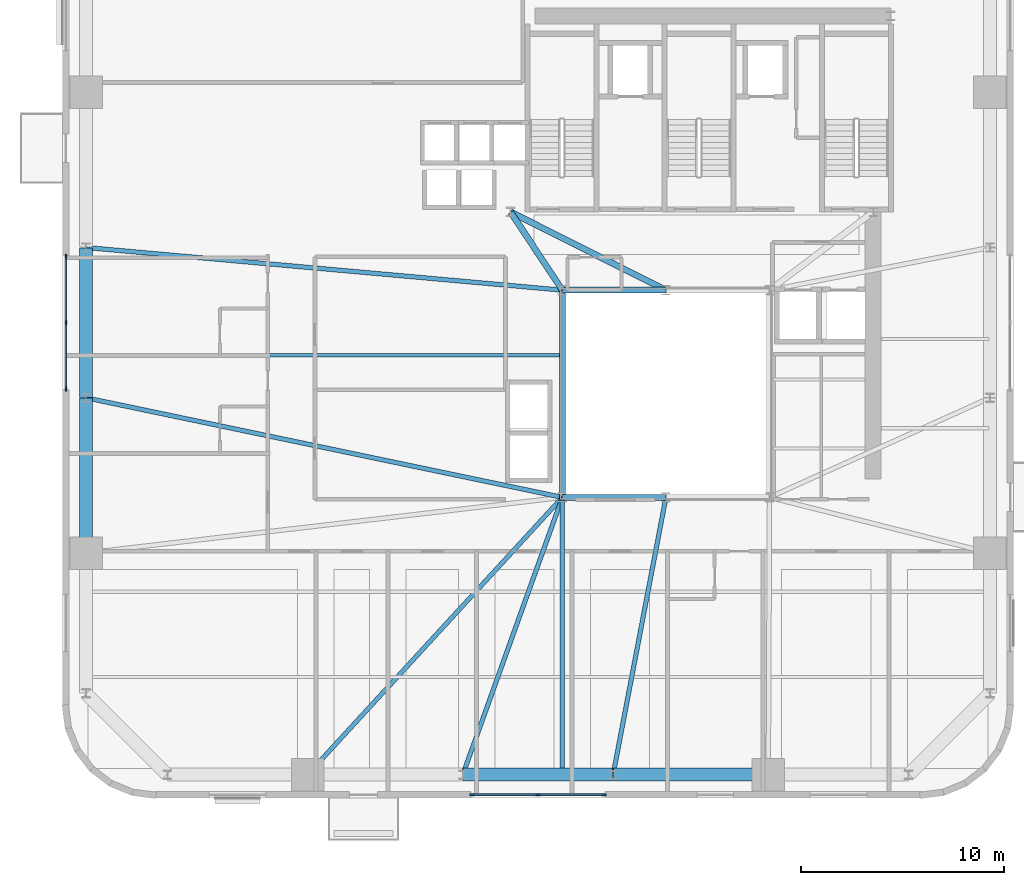
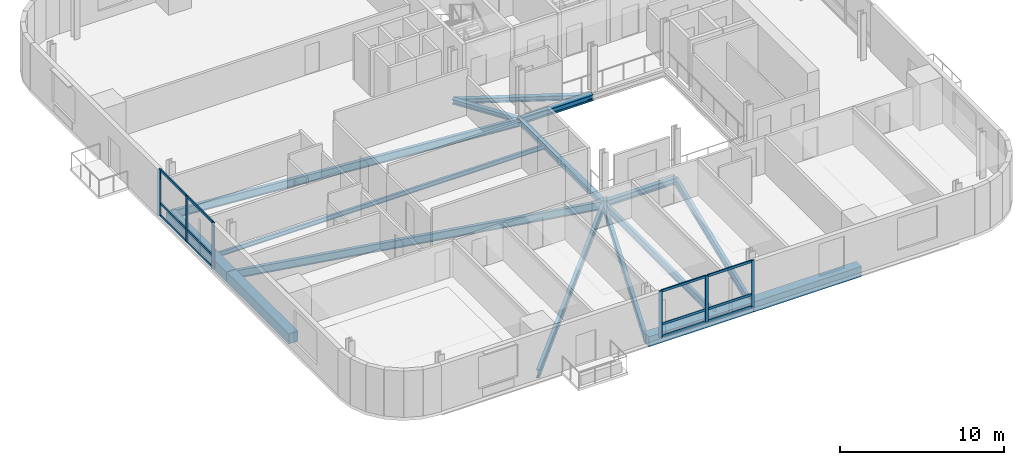
# One storey, part 2 of 11: 18 members, 16 beams, 2 elements without a shape of their own.
"""IFC4 building model written with IfcOpenShell, lengths in metres."""

from ifc_helpers import new_model, si_unit, direction, frame, origin, origin_2d, place, context, subcontext, project, spatial, rectangle, i_section, extrude, source, transform, mapped, material, material_profile, profile_set, type_object, element, aggregate, save


model = new_model("IFC4")

# Units and contexts
model_context = context("Model", 3, precision=1e-05, world=origin(), true_north=direction((0.0, 1.0)))
body_context = subcontext(model_context, "Body", "Model", "MODEL_VIEW")
ifc_project = project(units=[si_unit("LENGTHUNIT", "METRE"), si_unit("AREAUNIT", "SQUARE_METRE"), si_unit("VOLUMEUNIT", "CUBIC_METRE"), si_unit("PLANEANGLEUNIT", "RADIAN"), si_unit("MASSUNIT", "GRAM", prefix="KILO")], contexts=[model_context])

# Site, building, storey
site_placement = place(None, origin())
site = spatial("IfcSite", under=ifc_project, at=site_placement, CompositionType="ELEMENT")
building_placement = place(site_placement, origin())
building = spatial("IfcBuilding", under=site, at=building_placement, Name="Vardaveli Station Tower", CompositionType="ELEMENT")
storey_placement = place(building_placement, frame((0.0, 0.0, 155.699951171875)))
storey = spatial("IfcBuildingStorey", under=building, at=storey_placement, Name="L40", CompositionType="ELEMENT", Elevation=155.699951171875)

# Beams
ifc_material_1 = material(Name="Structural steel S355J2", Category="steel")
ifc_material_profile_1 = material_profile(ifc_material_1, i_section(OverallWidth=0.300048828125, OverallDepth=0.449951171875, WebThickness=0.013916015625, FlangeThickness=0.02587890625, FilletRadius=0.027099609375, at=origin_2d()), Name="HEB 450")
ifc_profile_set_1 = profile_set([ifc_material_profile_1], Name="Structural steel S355J2")
beam_type_1 = type_object("IfcBeamType", Name="BM-HEB450", PredefinedType="BEAM", material=ifc_profile_set_1)
shared_shape_1 = source(origin(), body_context, "Body", "SweptSolid", [
    extrude(i_section(OverallWidth=0.300048828125, OverallDepth=0.449951171875, WebThickness=0.013916015625, FlangeThickness=0.02587890625, FilletRadius=0.027099609375, at=origin_2d()), origin(), (0.0, 0.0, 1.0), 5.06005859375),
])
for number, where, z_axis, x_axis, name in (
    (1, (31.219970703125, 16.60009765625, -0.46484375), (1.0, 0.0, 0.0), (0.0, 1.0, 0.0), "ABM-L40-01"),
    (2, (36.280029296875, 26.800048828125, -0.46484375), (-1.0, 0.0, 0.0), (0.0, -1.0, 0.0), "ABM-L40-05"),
):
    element("IfcBeam", number, at=place(storey_placement, frame(where, z_axis=z_axis, x_axis=x_axis)), inside=storey, type_object=beam_type_1, Name=name, PredefinedType="BEAM", context=body_context, shape_type="MappedRepresentation", body=[
        mapped(shared_shape_1, transform((0.0, 0.0, 0.0), scale=1.0)),
    ])
shared_shape_2 = source(origin(), body_context, "Body", "SweptSolid", [
    extrude(i_section(OverallWidth=0.300048828125, OverallDepth=0.449951171875, WebThickness=0.013916015625, FlangeThickness=0.02587890625, FilletRadius=0.027099609375, at=origin_2d()), origin(), (0.0, 0.0, 1.0), 10.159912109375),
])
beam_1_placement = place(storey_placement, frame((31.199951171875, 26.780029296875, -0.46484375), z_axis=(0.0, -1.0, 0.0), x_axis=(1.0, 0.0, 0.0)))
element("IfcBeam", 3, at=beam_1_placement, inside=storey, type_object=beam_type_1, Name="ABM-L40-06", PredefinedType="BEAM", context=body_context, shape_type="MappedRepresentation", body=[
    mapped(shared_shape_2, transform((0.0, 0.0, 0.0), scale=1.0)),
])
ifc_material_profile_2 = material_profile(ifc_material_1, i_section(OverallWidth=0.300048828125, OverallDepth=0.360107421875, WebThickness=0.012451171875, FlangeThickness=0.0224609375, FilletRadius=0.027099609375, at=origin_2d()), Name="HEB 360")
ifc_profile_set_2 = profile_set([ifc_material_profile_2], Name="Structural steel S355J2")
beam_type_2 = type_object("IfcBeamType", Name="BM-HEB360", PredefinedType="BEAM", material=ifc_profile_set_2)
shared_shape_3 = source(origin(), body_context, "Body", "SweptSolid", [
    extrude(i_section(OverallWidth=0.300048828125, OverallDepth=0.360107421875, WebThickness=0.012451171875, FlangeThickness=0.0224609375, FilletRadius=0.027099609375, at=origin_2d()), origin(), (0.0, 0.0, 1.0), 4.577880859375),
])
beam_2_placement = place(storey_placement, frame((31.18896484375, 26.816650390625, -0.419921875), z_axis=(-0.55218702139, 0.833720272879, 0.0), x_axis=(-0.833720272879, -0.55218702139, 0.0)))
element("IfcBeam", 4, at=beam_2_placement, inside=storey, type_object=beam_type_2, Name="CBM-L40-01", PredefinedType="BEAM", context=body_context, shape_type="MappedRepresentation", body=[
    mapped(shared_shape_3, transform((0.0, 0.0, 0.0), scale=1.0)),
])
shared_shape_4 = source(origin(), body_context, "Body", "SweptSolid", [
    extrude(i_section(OverallWidth=0.300048828125, OverallDepth=0.360107421875, WebThickness=0.012451171875, FlangeThickness=0.0224609375, FilletRadius=0.027099609375, at=origin_2d()), origin(), (0.0, 0.0, 1.0), 8.524169921875),
])
beam_3_placement = place(storey_placement, frame((28.66796875, 30.64111328125, -0.419921875), z_axis=(0.893255584708, -0.449549174605, 0.0), x_axis=(0.449549174605, 0.893255584708, 0.0)))
element("IfcBeam", 5, at=beam_3_placement, inside=storey, type_object=beam_type_2, Name="CBM-L40-03", PredefinedType="BEAM", context=body_context, shape_type="MappedRepresentation", body=[
    mapped(shared_shape_4, transform((0.0, 0.0, 0.0), scale=1.0)),
])
ifc_material_2 = material(Name="Precast concrete C45/55", Category="concrete")
ifc_material_profile_3 = material_profile(ifc_material_2, rectangle(XDim=0.64990234375, YDim=0.75, at=origin_2d()), Name="LPB 650x750")
ifc_profile_set_3 = profile_set([ifc_material_profile_3], Name="Precast concrete C45/55")
beam_type_3 = type_object("IfcBeamType", Name="BM-LPB-750", PredefinedType="BEAM", material=ifc_profile_set_3)
shared_shape_5 = source(origin(), body_context, "Body", "SweptSolid", [
    extrude(rectangle(XDim=0.64990234375, YDim=0.75, at=origin_2d()), origin(), (0.0, 0.0, 1.0), 7.60009765625),
])
for number, where, z_axis, x_axis, name in (
    (6, (33.719970703125, 2.949951171875, -0.614990234375), (1.0, 0.0, 0.0), (0.0, 1.0, 0.0), "RBM-L40-03"),
    (7, (7.75, 21.47998046875, -0.614990234375), (0.0, -1.0, 0.0), (1.0, 0.0, 0.0), "RBM-L40-21"),
):
    element("IfcBeam", number, at=place(storey_placement, frame(where, z_axis=z_axis, x_axis=x_axis)), inside=storey, type_object=beam_type_3, Name=name, PredefinedType="BEAM", context=body_context, shape_type="MappedRepresentation", body=[
        mapped(shared_shape_5, transform((0.0, 0.0, 0.0), scale=1.0)),
    ])
shared_shape_6 = source(origin(), body_context, "Body", "SweptSolid", [
    extrude(rectangle(XDim=0.64990234375, YDim=0.75, at=origin_2d()), origin(), (0.0, 0.0, 1.0), 7.35986328125),
])
for number, where, z_axis, x_axis, name in (
    (8, (26.320068359375, 2.949951171875, -0.614990234375), (1.0, 0.0, 0.0), (0.0, 1.0, 0.0), "RBM-L40-02"),
    (9, (7.75, 28.8798828125, -0.614990234375), (0.0, -1.0, 0.0), (1.0, 0.0, 0.0), "RBM-L40-20"),
):
    element("IfcBeam", number, at=place(storey_placement, frame(where, z_axis=z_axis, x_axis=x_axis)), inside=storey, type_object=beam_type_3, Name=name, PredefinedType="BEAM", context=body_context, shape_type="MappedRepresentation", body=[
        mapped(shared_shape_6, transform((0.0, 0.0, 0.0), scale=1.0)),
    ])
ifc_material_profile_4 = material_profile(ifc_material_1, i_section(OverallWidth=0.2099609375, OverallDepth=0.550048828125, WebThickness=0.010986328125, FlangeThickness=0.01708984375, FilletRadius=0.02392578125, at=origin_2d()), Name="IPE 550")
ifc_profile_set_4 = profile_set([ifc_material_profile_4], Name="Structural steel S355J2")
beam_type_4 = type_object("IfcBeamType", Name="BM-IPE550", PredefinedType="BEAM", material=ifc_profile_set_4)
shared_shape_7 = source(origin(), body_context, "Body", "SweptSolid", [
    extrude(i_section(OverallWidth=0.2099609375, OverallDepth=0.550048828125, WebThickness=0.010986328125, FlangeThickness=0.01708984375, FilletRadius=0.02392578125, at=origin_2d()), origin(), (0.0, 0.0, 1.0), 13.469970703125),
])
beam_4_placement = place(storey_placement, frame((31.199951171875, 2.989990234375, -0.514892578125), z_axis=(0.0, 1.0, 0.0), x_axis=(-1.0, 0.0, 0.0)))
element("IfcBeam", 10, at=beam_4_placement, inside=storey, type_object=beam_type_4, Name="NSM-L40-S1", PredefinedType="BEAM", context=body_context, shape_type="MappedRepresentation", body=[
    mapped(shared_shape_7, transform((0.0, 0.0, 0.0), scale=1.0)),
])
ifc_material_profile_5 = material_profile(ifc_material_1, i_section(OverallWidth=0.159912109375, OverallDepth=0.330078125, WebThickness=0.007568359375, FlangeThickness=0.011474609375, FilletRadius=0.01806640625, at=origin_2d()), Name="IPE 330")
ifc_profile_set_5 = profile_set([ifc_material_profile_5], Name="Structural steel S355J2")
beam_type_5 = type_object("IfcBeamType", Name="BM-IPE330", PredefinedType="JOIST", material=ifc_profile_set_5)
shared_shape_8 = source(origin(), body_context, "Body", "SweptSolid", [
    extrude(i_section(OverallWidth=0.159912109375, OverallDepth=0.330078125, WebThickness=0.007568359375, FlangeThickness=0.011474609375, FilletRadius=0.01806640625, at=origin_2d()), origin(), (0.0, 0.0, 1.0), 23.2978515625),
])
beam_5_placement = place(storey_placement, frame((7.7900390625, 23.60009765625, -0.405029296875), z_axis=(1.0, 0.0, 0.0), x_axis=(0.0, 1.0, 0.0)))
element("IfcBeam", 11, at=beam_5_placement, inside=storey, type_object=beam_type_5, Name="SJ-L40-W06", PredefinedType="JOIST", context=body_context, shape_type="MappedRepresentation", body=[
    mapped(shared_shape_8, transform((0.0, 0.0, 0.0), scale=1.0)),
])
ifc_material_profile_6 = material_profile(ifc_material_1, i_section(OverallWidth=0.219970703125, OverallDepth=0.60009765625, WebThickness=0.011962890625, FlangeThickness=0.01904296875, FilletRadius=0.02392578125, at=origin_2d()), Name="IPE 600")
ifc_profile_set_6 = profile_set([ifc_material_profile_6], Name="Structural steel S355J2")
beam_type_6 = type_object("IfcBeamType", Name="BM-IPE600", PredefinedType="BEAM", material=ifc_profile_set_6)
shared_shape_9 = source(origin(), body_context, "Body", "SweptSolid", [
    extrude(i_section(OverallWidth=0.219970703125, OverallDepth=0.60009765625, WebThickness=0.011962890625, FlangeThickness=0.01904296875, FilletRadius=0.02392578125, at=origin_2d()), origin(), (0.0, 0.0, 1.0), 18.49560546875),
])
beam_6_placement = place(storey_placement, frame((18.673583984375, 2.96484375, -0.5400390625), z_axis=(0.676535341891, 0.736410165039, 0.0), x_axis=(-0.736410165039, 0.676535341891, 0.0)))
element("IfcBeam", 12, at=beam_6_placement, inside=storey, type_object=beam_type_6, Name="GBM-L40-01", PredefinedType="BEAM", context=body_context, shape_type="MappedRepresentation", body=[
    mapped(shared_shape_9, transform((0.0, 0.0, 0.0), scale=1.0)),
])
shared_shape_10 = source(origin(), body_context, "Body", "SweptSolid", [
    extrude(i_section(OverallWidth=0.219970703125, OverallDepth=0.60009765625, WebThickness=0.011962890625, FlangeThickness=0.01904296875, FilletRadius=0.02392578125, at=origin_2d()), origin(), (0.0, 0.0, 1.0), 14.462890625),
])
beam_7_placement = place(storey_placement, frame((26.306640625, 2.96875, -0.5400390625), z_axis=(0.337880090533, 0.941189165057, 0.0), x_axis=(-0.941189165057, 0.337880090533, 0.0)))
element("IfcBeam", 13, at=beam_7_placement, inside=storey, type_object=beam_type_6, Name="GBM-L40-02", PredefinedType="BEAM", context=body_context, shape_type="MappedRepresentation", body=[
    mapped(shared_shape_10, transform((0.0, 0.0, 0.0), scale=1.0)),
])
shared_shape_11 = source(origin(), body_context, "Body", "SweptSolid", [
    extrude(i_section(OverallWidth=0.219970703125, OverallDepth=0.60009765625, WebThickness=0.011962890625, FlangeThickness=0.01904296875, FilletRadius=0.02392578125, at=origin_2d()), origin(), (0.0, 0.0, 1.0), 13.855224609375),
])
beam_8_placement = place(storey_placement, frame((33.703857421875, 2.9697265625, -0.5400390625), z_axis=(0.187097533125, 0.982341342456, 0.0), x_axis=(-0.982341342456, 0.187097533125, 0.0)))
element("IfcBeam", 14, at=beam_8_placement, inside=storey, type_object=beam_type_6, Name="GBM-L40-03", PredefinedType="BEAM", context=body_context, shape_type="MappedRepresentation", body=[
    mapped(shared_shape_11, transform((0.0, 0.0, 0.0), scale=1.0)),
])
shared_shape_12 = source(origin(), body_context, "Body", "SweptSolid", [
    extrude(i_section(OverallWidth=0.219970703125, OverallDepth=0.60009765625, WebThickness=0.011962890625, FlangeThickness=0.01904296875, FilletRadius=0.02392578125, at=origin_2d()), origin(), (0.0, 0.0, 1.0), 23.50390625),
])
beam_9_placement = place(storey_placement, frame((7.77001953125, 28.898193359375, -0.5400390625), z_axis=(0.996014142198, -0.08919545135, 0.0), x_axis=(0.08919545135, 0.996014142198, 0.0)))
element("IfcBeam", 15, at=beam_9_placement, inside=storey, type_object=beam_type_6, Name="GBM-L40-08", PredefinedType="BEAM", context=body_context, shape_type="MappedRepresentation", body=[
    mapped(shared_shape_12, transform((0.0, 0.0, 0.0), scale=1.0)),
])
shared_shape_13 = source(origin(), body_context, "Body", "SweptSolid", [
    extrude(i_section(OverallWidth=0.219970703125, OverallDepth=0.60009765625, WebThickness=0.011962890625, FlangeThickness=0.01904296875, FilletRadius=0.02392578125, at=origin_2d()), origin(), (0.0, 0.0, 1.0), 23.91650390625),
])
beam_10_placement = place(storey_placement, frame((7.76953125, 21.495849609375, -0.5400390625), z_axis=(0.978858547354, -0.204538368703, 0.0), x_axis=(0.204538368703, 0.978858547354, 0.0)))
element("IfcBeam", 16, at=beam_10_placement, inside=storey, type_object=beam_type_6, Name="GBM-L40-09", PredefinedType="BEAM", context=body_context, shape_type="MappedRepresentation", body=[
    mapped(shared_shape_13, transform((0.0, 0.0, 0.0), scale=1.0)),
])

# Curtain wall, members
ifc_material_3 = material(Name="Travertine stone and solar-control glass", Category="masonry")
curtain_wall_type = type_object("IfcCurtainWallType", Name="CW-SYS-2", PredefinedType="NOTDEFINED", material=ifc_material_3)
curtain_wall_1_placement = place(storey_placement, origin())
curtain_wall_1 = element("IfcCurtainWall", 17, at=curtain_wall_1_placement, inside=storey, type_object=curtain_wall_type, Name="CW-L40-S", PredefinedType="NOTDEFINED")
ifc_material_4 = material(Name="Anodised aluminium alloy 6063-T6", Category="aluminium")
ifc_material_profile_7 = material_profile(ifc_material_4, rectangle(XDim=0.0849609375, YDim=0.179931640625, at=origin_2d()), Name="CWT 85x180")
ifc_profile_set_7 = profile_set([ifc_material_profile_7], Name="Anodised aluminium alloy 6063-T6")
member_type_1 = type_object("IfcMemberType", Name="CW-SYS-2-TRAN", PredefinedType="NOTDEFINED", material=ifc_profile_set_7)
shared_shape_14 = source(origin(), body_context, "Body", "SweptSolid", [
    extrude(rectangle(XDim=0.0849609375, YDim=0.179931640625, at=origin_2d()), origin(), (0.0, 0.0, 1.0), 3.172607421875),
])
member_1_placement = place(storey_placement, frame((26.784912109375, 1.9599609375, 0.04248046875), z_axis=(1.0, 0.0, 0.0), x_axis=(0.0, 1.0, 0.0)))
member_1 = element("IfcMember", 18, at=member_1_placement, type_object=member_type_1, Name="CW-2 transom 1.1", ObjectType="TRANSOM", PredefinedType="USERDEFINED", context=body_context, shape_type="MappedRepresentation", body=[
    mapped(shared_shape_14, transform((0.0, 0.0, 0.0), scale=1.0)),
])
member_2_placement = place(storey_placement, frame((26.784912109375, 1.9599609375, 0.949951171875), z_axis=(1.0, 0.0, 0.0), x_axis=(0.0, 1.0, 0.0)))
member_2 = element("IfcMember", 19, at=member_2_placement, type_object=member_type_1, Name="CW-2 transom 1.2", ObjectType="TRANSOM", PredefinedType="USERDEFINED", context=body_context, shape_type="MappedRepresentation", body=[
    mapped(shared_shape_14, transform((0.0, 0.0, 0.0), scale=1.0)),
])
member_3_placement = place(storey_placement, frame((26.784912109375, 1.9599609375, 3.41748046875), z_axis=(1.0, 0.0, 0.0), x_axis=(0.0, 1.0, 0.0)))
member_3 = element("IfcMember", 20, at=member_3_placement, type_object=member_type_1, Name="CW-2 transom 1.3", ObjectType="TRANSOM", PredefinedType="USERDEFINED", context=body_context, shape_type="MappedRepresentation", body=[
    mapped(shared_shape_14, transform((0.0, 0.0, 0.0), scale=1.0)),
])
member_4_placement = place(storey_placement, frame((30.04248046875, 1.9599609375, 0.04248046875), z_axis=(1.0, 0.0, 0.0), x_axis=(0.0, 1.0, 0.0)))
member_4 = element("IfcMember", 21, at=member_4_placement, type_object=member_type_1, Name="CW-2 transom 2.1", ObjectType="TRANSOM", PredefinedType="USERDEFINED", context=body_context, shape_type="MappedRepresentation", body=[
    mapped(shared_shape_14, transform((0.0, 0.0, 0.0), scale=1.0)),
])
member_5_placement = place(storey_placement, frame((30.04248046875, 1.9599609375, 0.949951171875), z_axis=(1.0, 0.0, 0.0), x_axis=(0.0, 1.0, 0.0)))
member_5 = element("IfcMember", 22, at=member_5_placement, type_object=member_type_1, Name="CW-2 transom 2.2", ObjectType="TRANSOM", PredefinedType="USERDEFINED", context=body_context, shape_type="MappedRepresentation", body=[
    mapped(shared_shape_14, transform((0.0, 0.0, 0.0), scale=1.0)),
])
member_6_placement = place(storey_placement, frame((30.04248046875, 1.9599609375, 3.41748046875), z_axis=(1.0, 0.0, 0.0), x_axis=(0.0, 1.0, 0.0)))
member_6 = element("IfcMember", 23, at=member_6_placement, type_object=member_type_1, Name="CW-2 transom 2.3", ObjectType="TRANSOM", PredefinedType="USERDEFINED", context=body_context, shape_type="MappedRepresentation", body=[
    mapped(shared_shape_14, transform((0.0, 0.0, 0.0), scale=1.0)),
])

curtain_wall_2_placement = place(storey_placement, origin())
curtain_wall_2 = element("IfcCurtainWall", 24, at=curtain_wall_2_placement, inside=storey, type_object=curtain_wall_type, Name="CW-L40-W", PredefinedType="NOTDEFINED")
member_7_placement = place(storey_placement, frame((6.760009765625, 28.4150390625, 0.04248046875), z_axis=(0.0, -1.0, 0.0), x_axis=(1.0, 0.0, 0.0)))
member_7 = element("IfcMember", 25, at=member_7_placement, type_object=member_type_1, Name="CW-2 transom 1.1", ObjectType="TRANSOM", PredefinedType="USERDEFINED", context=body_context, shape_type="MappedRepresentation", body=[
    mapped(shared_shape_14, transform((0.0, 0.0, 0.0), scale=1.0)),
])
member_8_placement = place(storey_placement, frame((6.760009765625, 28.4150390625, 0.949951171875), z_axis=(0.0, -1.0, 0.0), x_axis=(1.0, 0.0, 0.0)))
member_8 = element("IfcMember", 26, at=member_8_placement, type_object=member_type_1, Name="CW-2 transom 1.2", ObjectType="TRANSOM", PredefinedType="USERDEFINED", context=body_context, shape_type="MappedRepresentation", body=[
    mapped(shared_shape_14, transform((0.0, 0.0, 0.0), scale=1.0)),
])
member_9_placement = place(storey_placement, frame((6.760009765625, 28.4150390625, 3.41748046875), z_axis=(0.0, -1.0, 0.0), x_axis=(1.0, 0.0, 0.0)))
member_9 = element("IfcMember", 27, at=member_9_placement, type_object=member_type_1, Name="CW-2 transom 1.3", ObjectType="TRANSOM", PredefinedType="USERDEFINED", context=body_context, shape_type="MappedRepresentation", body=[
    mapped(shared_shape_14, transform((0.0, 0.0, 0.0), scale=1.0)),
])
shared_shape_15 = source(origin(), body_context, "Body", "SweptSolid", [
    extrude(rectangle(XDim=0.0849609375, YDim=0.179931640625, at=origin_2d()), origin(), (0.0, 0.0, 1.0), 3.17236328125),
])
member_10_placement = place(storey_placement, frame((6.760009765625, 25.157470703125, 0.04248046875), z_axis=(0.0, -1.0, 0.0), x_axis=(1.0, 0.0, 0.0)))
member_10 = element("IfcMember", 28, at=member_10_placement, type_object=member_type_1, Name="CW-2 transom 2.1", ObjectType="TRANSOM", PredefinedType="USERDEFINED", context=body_context, shape_type="MappedRepresentation", body=[
    mapped(shared_shape_15, transform((0.0, 0.0, 0.0), scale=1.0)),
])
member_11_placement = place(storey_placement, frame((6.760009765625, 25.157470703125, 0.949951171875), z_axis=(0.0, -1.0, 0.0), x_axis=(1.0, 0.0, 0.0)))
member_11 = element("IfcMember", 29, at=member_11_placement, type_object=member_type_1, Name="CW-2 transom 2.2", ObjectType="TRANSOM", PredefinedType="USERDEFINED", context=body_context, shape_type="MappedRepresentation", body=[
    mapped(shared_shape_15, transform((0.0, 0.0, 0.0), scale=1.0)),
])
member_12_placement = place(storey_placement, frame((6.760009765625, 25.157470703125, 3.41748046875), z_axis=(0.0, -1.0, 0.0), x_axis=(1.0, 0.0, 0.0)))
member_12 = element("IfcMember", 30, at=member_12_placement, type_object=member_type_1, Name="CW-2 transom 2.3", ObjectType="TRANSOM", PredefinedType="USERDEFINED", context=body_context, shape_type="MappedRepresentation", body=[
    mapped(shared_shape_15, transform((0.0, 0.0, 0.0), scale=1.0)),
])

# Member
ifc_material_profile_8 = material_profile(ifc_material_4, rectangle(XDim=0.0849609375, YDim=0.219970703125, at=origin_2d()), Name="CWM 85x220")
ifc_profile_set_8 = profile_set([ifc_material_profile_8], Name="Anodised aluminium alloy 6063-T6")
member_type_2 = type_object("IfcMemberType", Name="CW-SYS-2-MULL", PredefinedType="MULLION", material=ifc_profile_set_8)
shared_shape_16 = source(origin(), body_context, "Body", "SweptSolid", [
    extrude(rectangle(XDim=0.0849609375, YDim=0.219970703125, at=origin_2d()), origin(), (0.0, 0.0, 1.0), 3.4599609375),
])
member_13_placement = place(storey_placement, frame((26.742431640625, 1.9599609375, 0.0), z_axis=(0.0, 0.0, 1.0), x_axis=(0.0, 1.0, 0.0)))
member_13 = element("IfcMember", 31, at=member_13_placement, type_object=member_type_2, Name="CW-2 mullion 1", PredefinedType="MULLION", context=body_context, shape_type="MappedRepresentation", body=[
    mapped(shared_shape_16, transform((0.0, 0.0, 0.0), scale=1.0)),
])

member_14_placement = place(storey_placement, frame((30.0, 1.9599609375, 0.0), z_axis=(0.0, 0.0, 1.0), x_axis=(0.0, 1.0, 0.0)))
member_14 = element("IfcMember", 32, at=member_14_placement, type_object=member_type_2, Name="CW-2 mullion 2", PredefinedType="MULLION", context=body_context, shape_type="MappedRepresentation", body=[
    mapped(shared_shape_16, transform((0.0, 0.0, 0.0), scale=1.0)),
])

member_15_placement = place(storey_placement, frame((33.257568359375, 1.9599609375, 0.0), z_axis=(0.0, 0.0, 1.0), x_axis=(0.0, 1.0, 0.0)))
member_15 = element("IfcMember", 33, at=member_15_placement, type_object=member_type_2, Name="CW-2 mullion 3", PredefinedType="MULLION", context=body_context, shape_type="MappedRepresentation", body=[
    mapped(shared_shape_16, transform((0.0, 0.0, 0.0), scale=1.0)),
])

aggregate(curtain_wall_1, [member_13, member_14, member_15, member_1, member_2, member_3, member_4, member_5, member_6])

member_16_placement = place(storey_placement, frame((6.760009765625, 28.45751953125, 0.0), z_axis=(0.0, 0.0, 1.0), x_axis=(1.0, 0.0, 0.0)))
member_16 = element("IfcMember", 34, at=member_16_placement, type_object=member_type_2, Name="CW-2 mullion 1", PredefinedType="MULLION", context=body_context, shape_type="MappedRepresentation", body=[
    mapped(shared_shape_16, transform((0.0, 0.0, 0.0), scale=1.0)),
])

member_17_placement = place(storey_placement, frame((6.760009765625, 25.199951171875, 0.0), z_axis=(0.0, 0.0, 1.0), x_axis=(1.0, 0.0, 0.0)))
member_17 = element("IfcMember", 35, at=member_17_placement, type_object=member_type_2, Name="CW-2 mullion 2", PredefinedType="MULLION", context=body_context, shape_type="MappedRepresentation", body=[
    mapped(shared_shape_16, transform((0.0, 0.0, 0.0), scale=1.0)),
])

member_18_placement = place(storey_placement, frame((6.760009765625, 21.9423828125, 0.0), z_axis=(0.0, 0.0, 1.0), x_axis=(1.0, 0.0, 0.0)))
member_18 = element("IfcMember", 36, at=member_18_placement, type_object=member_type_2, Name="CW-2 mullion 3", PredefinedType="MULLION", context=body_context, shape_type="MappedRepresentation", body=[
    mapped(shared_shape_16, transform((0.0, 0.0, 0.0), scale=1.0)),
])

aggregate(curtain_wall_2, [member_16, member_17, member_18, member_7, member_8, member_9, member_10, member_11, member_12])

save(model, "model.ifc")
